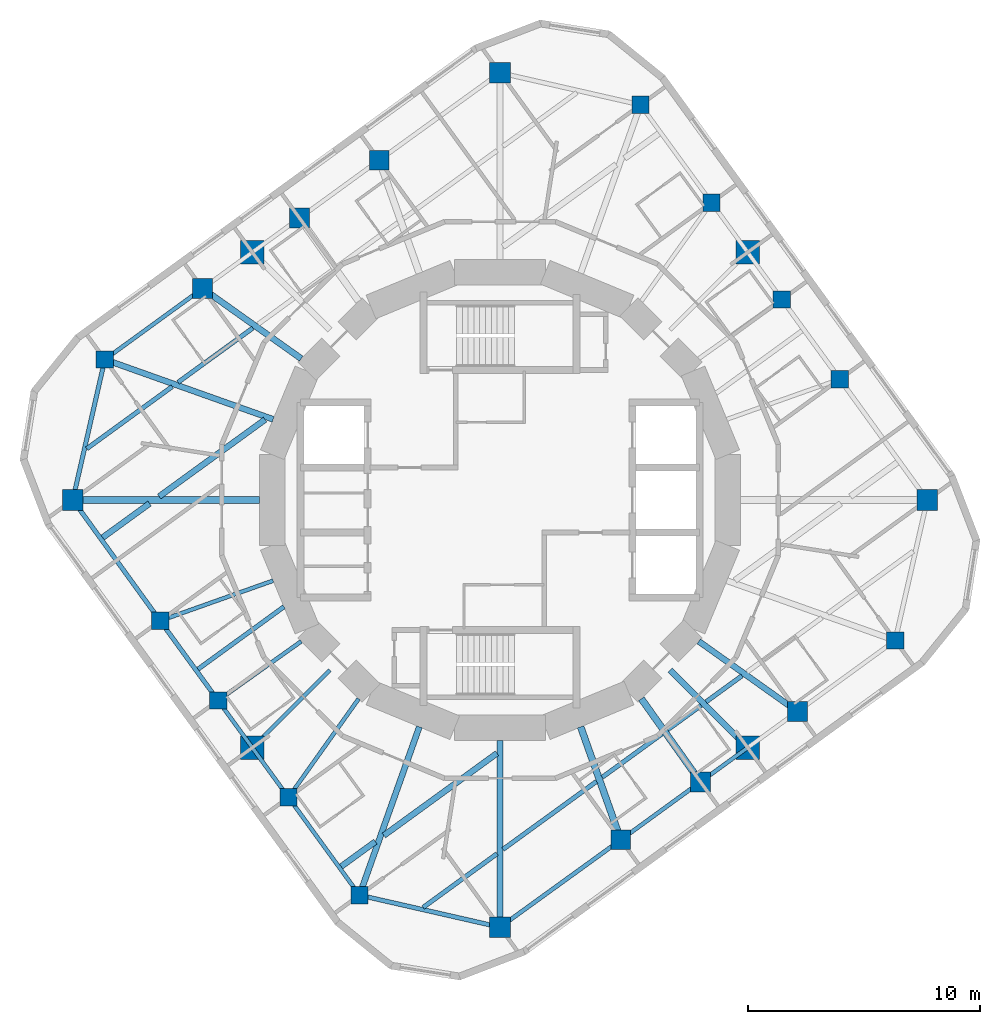
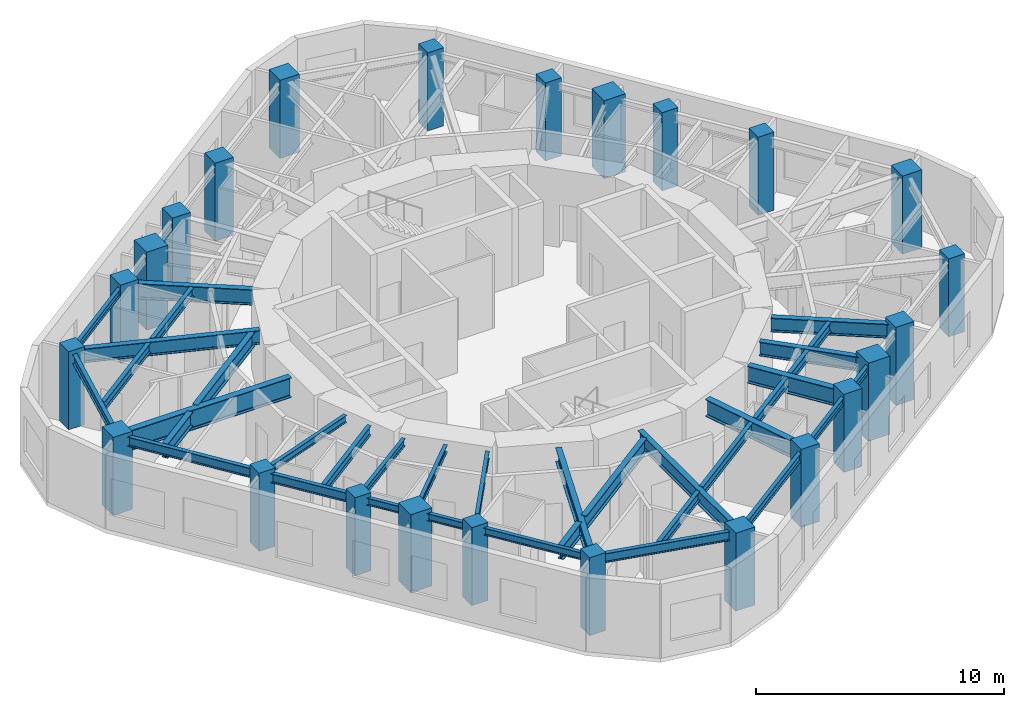
# One storey, part 1 of 9: 36 beams, 24 columns.
"""IFC4 building model written with IfcOpenShell, lengths in metres."""

from ifc_helpers import new_model, si_unit, direction, frame, origin, origin_2d, place, context, subcontext, project, spatial, rectangle, i_section, extrude, material, material_profile, profile_set, type_object, element, save


model = new_model("IFC4")

# Units and contexts
model_context = context("Model", 3, precision=1e-05, world=origin(), true_north=direction((0.0, 1.0)))
body_context = subcontext(model_context, "Body", "Model", "MODEL_VIEW")
ifc_project = project(units=[si_unit("LENGTHUNIT", "METRE"), si_unit("AREAUNIT", "SQUARE_METRE"), si_unit("VOLUMEUNIT", "CUBIC_METRE"), si_unit("PLANEANGLEUNIT", "RADIAN"), si_unit("MASSUNIT", "GRAM", prefix="KILO")], contexts=[model_context])

# Site, building, storey
site_placement = place(None, origin())
site = spatial("IfcSite", under=ifc_project, at=site_placement, CompositionType="ELEMENT")
building_placement = place(site_placement, origin())
building = spatial("IfcBuilding", under=site, at=building_placement, Name="Nakasero Lantern House", CompositionType="ELEMENT")
storey_placement = place(building_placement, frame((0.0, 0.0, 283.0)))
storey = spatial("IfcBuildingStorey", under=building, at=storey_placement, Name="L69", CompositionType="ELEMENT", Elevation=283.0)

# Columns
ifc_material_1 = material(Name="Concrete C40/50", Category="concrete")
ifc_material_profile_1 = material_profile(ifc_material_1, rectangle(XDim=1.0, YDim=1.0, at=origin_2d()), Name="RC 1000x1000")
ifc_profile_set_1 = profile_set([ifc_material_profile_1], Name="Concrete C40/50")
column_type_1 = type_object("IfcColumnType", Name="Mega column RC 1000x1000 C40/50", PredefinedType="COLUMN", material=ifc_profile_set_1)
for number, where, z_axis, x_axis, name in (
    (1, (10.667236328125, 10.667236328125, 0.0), (0.0, 0.0, 1.0), (1.0, 0.0, 0.0), "Column B7-C06 L69"),
    (2, (-10.667236328125, 10.667236328125, 0.0), (0.0, 0.0, 1.0), (1.0, 0.0, 0.0), "Column B7-C12 L69"),
    (3, (-10.667236328125, -10.667236328125, 0.0), (0.0, 0.0, 1.0), (1.0, 0.0, 0.0), "Column B7-C18 L69"),
    (4, (10.667236328125, -10.667236328125, 0.0), (0.0, 0.0, 1.0), (1.0, 0.0, 0.0), "Column B7-C24 L69"),
):
    element("IfcColumn", number, at=place(storey_placement, frame(where, z_axis=z_axis, x_axis=x_axis)), inside=storey, type_object=column_type_1, Name=name, PredefinedType="COLUMN", context=body_context, shape_type="SweptSolid", body=[
        extrude(rectangle(XDim=1.0, YDim=1.0, at=origin_2d()), origin(), (0.0, 0.0, 1.0), 3.85009765625),
    ])
ifc_material_2 = material(Name="Concrete C40/50", Category="concrete")
ifc_material_profile_2 = material_profile(ifc_material_2, rectangle(XDim=0.75, YDim=0.75, at=origin_2d()), Name="RC 750x750")
ifc_profile_set_2 = profile_set([ifc_material_profile_2], Name="Concrete C40/50")
column_type_2 = type_object("IfcColumnType", Name="Ring column RC 750x750 C40/50", PredefinedType="COLUMN", material=ifc_profile_set_2)
for number, where, z_axis, x_axis, name in (
    (5, (17.02001953125, -6.051513671875, 0.0), (0.0, 0.0, 1.0), (1.0, 0.0, 0.0), "Column B7-C02 L69"),
    (6, (14.636474609375, 5.2041015625, 0.0), (0.0, 0.0, 1.0), (1.0, 0.0, 0.0), "Column B7-C04 L69"),
    (7, (12.1435546875, 8.63525390625, 0.0), (0.0, 0.0, 1.0), (1.0, 0.0, 0.0), "Column B7-C05 L69"),
    (8, (9.10986328125, 12.810791015625, 0.0), (0.0, 0.0, 1.0), (1.0, 0.0, 0.0), "Column B7-C07 L69"),
    (9, (6.051513671875, 17.02001953125, 0.0), (0.0, 0.0, 1.0), (1.0, 0.0, 0.0), "Column B7-C08 L69"),
    (10, (-17.02001953125, 6.051513671875, 0.0), (0.0, 0.0, 1.0), (1.0, 0.0, 0.0), "Column B7-C14 L69"),
    (11, (-14.636474609375, -5.2041015625, 0.0), (0.0, 0.0, 1.0), (1.0, 0.0, 0.0), "Column B7-C16 L69"),
    (12, (-12.1435546875, -8.63525390625, 0.0), (0.0, 0.0, 1.0), (1.0, 0.0, 0.0), "Column B7-C17 L69"),
    (13, (-9.10986328125, -12.810791015625, 0.0), (0.0, 0.0, 1.0), (1.0, 0.0, 0.0), "Column B7-C19 L69"),
    (14, (-6.051513671875, -17.02001953125, 0.0), (0.0, 0.0, 1.0), (1.0, 0.0, 0.0), "Column B7-C20 L69"),
):
    element("IfcColumn", number, at=place(storey_placement, frame(where, z_axis=z_axis, x_axis=x_axis)), inside=storey, type_object=column_type_2, Name=name, PredefinedType="COLUMN", context=body_context, shape_type="SweptSolid", body=[
        extrude(rectangle(XDim=0.75, YDim=0.75, at=origin_2d()), origin(), (0.0, 0.0, 1.0), 3.85009765625),
    ])
ifc_material_3 = material(Name="Concrete C40/50", Category="concrete")
ifc_material_profile_3 = material_profile(ifc_material_3, rectangle(XDim=0.85009765625, YDim=0.85009765625, at=origin_2d()), Name="RC 850x850")
ifc_profile_set_3 = profile_set([ifc_material_profile_3], Name="Concrete C40/50")
column_type_3 = type_object("IfcColumnType", Name="Ring column RC 850x850 C40/50", PredefinedType="COLUMN", material=ifc_profile_set_3)
for number, where, z_axis, x_axis, name in (
    (15, (12.810791015625, -9.10986328125, 0.0), (0.0, 0.0, 1.0), (1.0, 0.0, 0.0), "Column B7-C01 L69"),
    (16, (-5.2041015625, 14.636474609375, 0.0), (0.0, 0.0, 1.0), (1.0, 0.0, 0.0), "Column B7-C10 L69"),
    (17, (-8.63525390625, 12.1435546875, 0.0), (0.0, 0.0, 1.0), (1.0, 0.0, 0.0), "Column B7-C11 L69"),
    (18, (-12.810791015625, 9.10986328125, 0.0), (0.0, 0.0, 1.0), (1.0, 0.0, 0.0), "Column B7-C13 L69"),
    (19, (5.2041015625, -14.636474609375, 0.0), (0.0, 0.0, 1.0), (1.0, 0.0, 0.0), "Column B7-C22 L69"),
    (20, (8.63525390625, -12.1435546875, 0.0), (0.0, 0.0, 1.0), (1.0, 0.0, 0.0), "Column B7-C23 L69"),
):
    element("IfcColumn", number, at=place(storey_placement, frame(where, z_axis=z_axis, x_axis=x_axis)), inside=storey, type_object=column_type_3, Name=name, PredefinedType="COLUMN", context=body_context, shape_type="SweptSolid", body=[
        extrude(rectangle(XDim=0.85009765625, YDim=0.85009765625, at=origin_2d()), origin(), (0.0, 0.0, 1.0), 3.85009765625),
    ])
ifc_material_4 = material(Name="Concrete C40/50", Category="concrete")
ifc_material_profile_4 = material_profile(ifc_material_4, rectangle(XDim=0.89990234375, YDim=0.89990234375, at=origin_2d()), Name="RC 900x900")
ifc_profile_set_4 = profile_set([ifc_material_profile_4], Name="Concrete C40/50")
column_type_4 = type_object("IfcColumnType", Name="Ring column RC 900x900 C40/50", PredefinedType="COLUMN", material=ifc_profile_set_4)
for number, where, z_axis, x_axis, name in (
    (21, (18.39990234375, 0.0, 0.0), (0.0, 0.0, 1.0), (1.0, 0.0, 0.0), "Column B7-C03 L69"),
    (22, (0.0, 18.39990234375, 0.0), (0.0, 0.0, 1.0), (1.0, 0.0, 0.0), "Column B7-C09 L69"),
    (23, (-18.39990234375, 0.0, 0.0), (0.0, 0.0, 1.0), (1.0, 0.0, 0.0), "Column B7-C15 L69"),
    (24, (0.0, -18.39990234375, 0.0), (0.0, 0.0, 1.0), (1.0, 0.0, 0.0), "Column B7-C21 L69"),
):
    element("IfcColumn", number, at=place(storey_placement, frame(where, z_axis=z_axis, x_axis=x_axis)), inside=storey, type_object=column_type_4, Name=name, PredefinedType="COLUMN", context=body_context, shape_type="SweptSolid", body=[
        extrude(rectangle(XDim=0.89990234375, YDim=0.89990234375, at=origin_2d()), origin(), (0.0, 0.0, 1.0), 3.85009765625),
    ])

# Beams
ifc_material_5 = material(Name="Steel S355", Category="steel")
ifc_material_profile_5 = material_profile(ifc_material_5, i_section(OverallWidth=0.19140625, OverallDepth=0.4599609375, WebThickness=0.010009765625, FlangeThickness=0.01611328125, FilletRadius=0.01025390625, at=origin_2d()), Name="UB 457x191x82")
ifc_profile_set_5 = profile_set([ifc_material_profile_5], Name="Steel S355")
beam_type_1 = type_object("IfcBeamType", Name="Infill beam UB 457x191x82", PredefinedType="JOIST", material=ifc_profile_set_5)
beam_1_placement = place(storey_placement, frame((-3.311279296875, -17.547607421875, 3.419921875), z_axis=(0.809028442836, 0.587769494515, 0.0), x_axis=(-0.587769494515, 0.809028442836, 0.0)))
element("IfcBeam", 25, at=beam_1_placement, inside=storey, type_object=beam_type_1, Name="Infill beam L70 03.1", PredefinedType="JOIST", context=body_context, shape_type="SweptSolid", body=[
    extrude(i_section(OverallWidth=0.19140625, OverallDepth=0.4599609375, WebThickness=0.010009765625, FlangeThickness=0.01611328125, FilletRadius=0.01025390625, at=origin_2d()), origin(), (0.0, 0.0, 1.0), 3.934814453125),
])
beam_2_placement = place(storey_placement, frame((0.1279296875, -15.048828125, 3.419921875), z_axis=(0.809018056479, 0.587783790428, 0.0), x_axis=(-0.587783790428, 0.809018056479, 0.0)))
element("IfcBeam", 26, at=beam_2_placement, inside=storey, type_object=beam_type_1, Name="Infill beam L70 03.2", PredefinedType="JOIST", context=body_context, shape_type="SweptSolid", body=[
    extrude(i_section(OverallWidth=0.19140625, OverallDepth=0.4599609375, WebThickness=0.010009765625, FlangeThickness=0.01611328125, FilletRadius=0.01025390625, at=origin_2d()), origin(), (0.0, 0.0, 1.0), 4.97802734375),
])
beam_3_placement = place(storey_placement, frame((4.40185546875, -11.943603515625, 3.419921875), z_axis=(0.809014147131, 0.587789171167, 0.0), x_axis=(-0.587789171167, 0.809014147131, 0.0)))
element("IfcBeam", 27, at=beam_3_placement, inside=storey, type_object=beam_type_1, Name="Infill beam L70 03.3", PredefinedType="JOIST", context=body_context, shape_type="SweptSolid", body=[
    extrude(i_section(OverallWidth=0.19140625, OverallDepth=0.4599609375, WebThickness=0.010009765625, FlangeThickness=0.01611328125, FilletRadius=0.01025390625, at=origin_2d()), origin(), (0.0, 0.0, 1.0), 3.188232421875),
])
beam_4_placement = place(storey_placement, frame((7.2177734375, -9.897705078125, 3.419921875), z_axis=(0.809060510352, 0.587725353025, 0.0), x_axis=(-0.587725353025, 0.809060510352, 0.0)))
element("IfcBeam", 28, at=beam_4_placement, inside=storey, type_object=beam_type_1, Name="Infill beam L70 03.4", PredefinedType="JOIST", context=body_context, shape_type="SweptSolid", body=[
    extrude(i_section(OverallWidth=0.19140625, OverallDepth=0.4599609375, WebThickness=0.010009765625, FlangeThickness=0.01611328125, FilletRadius=0.01025390625, at=origin_2d()), origin(), (0.0, 0.0, 1.0), 1.7890625),
])
beam_5_placement = place(storey_placement, frame((8.874755859375, -8.69384765625, 3.419921875), z_axis=(0.80900078054, 0.587807568074, 0.0), x_axis=(-0.587807568074, 0.80900078054, 0.0)))
element("IfcBeam", 29, at=beam_5_placement, inside=storey, type_object=beam_type_1, Name="Infill beam L70 03.5", PredefinedType="JOIST", context=body_context, shape_type="SweptSolid", body=[
    extrude(i_section(OverallWidth=0.19140625, OverallDepth=0.4599609375, WebThickness=0.010009765625, FlangeThickness=0.01611328125, FilletRadius=0.01025390625, at=origin_2d()), origin(), (0.0, 0.0, 1.0), 1.913818359375),
])
beam_6_placement = place(storey_placement, frame((-13.006103515625, -7.286376953125, 3.419921875), z_axis=(0.809017640959, 0.587784362344, 0.0), x_axis=(-0.587784362344, 0.809017640959, 0.0)))
element("IfcBeam", 30, at=beam_6_placement, inside=storey, type_object=beam_type_1, Name="Infill beam L70 07.1", PredefinedType="JOIST", context=body_context, shape_type="SweptSolid", body=[
    extrude(i_section(OverallWidth=0.19140625, OverallDepth=0.4599609375, WebThickness=0.010009765625, FlangeThickness=0.01611328125, FilletRadius=0.01025390625, at=origin_2d()), origin(), (0.0, 0.0, 1.0), 4.572998046875),
])
beam_7_placement = place(storey_placement, frame((-17.798583984375, 2.21044921875, 3.419921875), z_axis=(0.80901210161, 0.587791986546, 0.0), x_axis=(-0.587791986546, 0.80901210161, 0.0)))
element("IfcBeam", 31, at=beam_7_placement, inside=storey, type_object=beam_type_1, Name="Infill beam L70 10.1", PredefinedType="JOIST", context=body_context, shape_type="SweptSolid", body=[
    extrude(i_section(OverallWidth=0.19140625, OverallDepth=0.4599609375, WebThickness=0.010009765625, FlangeThickness=0.01611328125, FilletRadius=0.01025390625, at=origin_2d()), origin(), (0.0, 0.0, 1.0), 4.55029296875),
])
beam_8_placement = place(storey_placement, frame((-13.86865234375, 5.065673828125, 3.419921875), z_axis=(0.809006350712, 0.587799901759, 0.0), x_axis=(-0.587799901759, 0.809006350712, 0.0)))
element("IfcBeam", 32, at=beam_8_placement, inside=storey, type_object=beam_type_1, Name="Infill beam L70 10.2", PredefinedType="JOIST", context=body_context, shape_type="SweptSolid", body=[
    extrude(i_section(OverallWidth=0.19140625, OverallDepth=0.4599609375, WebThickness=0.010009765625, FlangeThickness=0.01611328125, FilletRadius=0.01025390625, at=origin_2d()), origin(), (0.0, 0.0, 1.0), 3.983154296875),
])
ifc_material_6 = material(Name="Steel S355", Category="steel")
ifc_material_profile_6 = material_profile(ifc_material_6, i_section(OverallWidth=0.255859375, OverallDepth=0.69287109375, WebThickness=0.014404296875, FlangeThickness=0.023681640625, FilletRadius=0.01513671875, at=origin_2d()), Name="UB 686x254x170")
ifc_profile_set_6 = profile_set([ifc_material_profile_6], Name="Steel S355")
beam_type_2 = type_object("IfcBeamType", Name="Infill beam UB 686x254x170", PredefinedType="JOIST", material=ifc_profile_set_6)
beam_9_placement = place(storey_placement, frame((-6.841796875, -15.786376953125, 3.303466796875), z_axis=(0.809025740158, 0.587773214566, 0.0), x_axis=(-0.587773214566, 0.809025740158, 0.0)))
element("IfcBeam", 33, at=beam_9_placement, inside=storey, type_object=beam_type_2, Name="Infill beam L70 04.1", PredefinedType="JOIST", context=body_context, shape_type="SweptSolid", body=[
    extrude(i_section(OverallWidth=0.255859375, OverallDepth=0.69287109375, WebThickness=0.014404296875, FlangeThickness=0.023681640625, FilletRadius=0.01513671875, at=origin_2d()), origin(), (0.0, 0.0, 1.0), 1.82177734375),
])
beam_10_placement = place(storey_placement, frame((-5.001953125, -14.44970703125, 3.303466796875), z_axis=(0.809011117524, 0.587793340998, 0.0), x_axis=(-0.587793340998, 0.809011117524, 0.0)))
element("IfcBeam", 34, at=beam_10_placement, inside=storey, type_object=beam_type_2, Name="Infill beam L70 04.2", PredefinedType="JOIST", context=body_context, shape_type="SweptSolid", body=[
    extrude(i_section(OverallWidth=0.255859375, OverallDepth=0.69287109375, WebThickness=0.014404296875, FlangeThickness=0.023681640625, FilletRadius=0.01513671875, at=origin_2d()), origin(), (0.0, 0.0, 1.0), 6.024658203125),
])
beam_11_placement = place(storey_placement, frame((-17.1123046875, -1.6171875, 3.303466796875), z_axis=(0.809015124384, 0.587787826106, 0.0), x_axis=(-0.587787826106, 0.809015124384, 0.0)))
element("IfcBeam", 35, at=beam_11_placement, inside=storey, type_object=beam_type_2, Name="Infill beam L70 09.1", PredefinedType="JOIST", context=body_context, shape_type="SweptSolid", body=[
    extrude(i_section(OverallWidth=0.255859375, OverallDepth=0.69287109375, WebThickness=0.014404296875, FlangeThickness=0.023681640625, FilletRadius=0.01513671875, at=origin_2d()), origin(), (0.0, 0.0, 1.0), 2.496337890625),
])
beam_12_placement = place(storey_placement, frame((-14.679931640625, 0.14990234375, 3.303466796875), z_axis=(0.809013172462, 0.587790512669, 0.0), x_axis=(-0.587790512669, 0.809013172462, 0.0)))
element("IfcBeam", 36, at=beam_12_placement, inside=storey, type_object=beam_type_2, Name="Infill beam L70 09.2", PredefinedType="JOIST", context=body_context, shape_type="SweptSolid", body=[
    extrude(i_section(OverallWidth=0.255859375, OverallDepth=0.69287109375, WebThickness=0.014404296875, FlangeThickness=0.023681640625, FilletRadius=0.01513671875, at=origin_2d()), origin(), (0.0, 0.0, 1.0), 5.63720703125),
])
ifc_material_7 = material(Name="Steel S355", Category="steel")
ifc_material_profile_7 = material_profile(ifc_material_7, i_section(OverallWidth=0.300048828125, OverallDepth=0.97998046875, WebThickness=0.0166015625, FlangeThickness=0.02587890625, FilletRadius=0.030029296875, at=origin_2d()), Name="UB 1016x305x249")
ifc_profile_set_7 = profile_set([ifc_material_profile_7], Name="Steel S355")
beam_type_3 = type_object("IfcBeamType", Name="Primary beam UB 1016x305x249, span 6 to 9 m", PredefinedType="BEAM", material=ifc_profile_set_7)
beam_13_placement = place(storey_placement, frame((-18.39990234375, 0.0, 3.159912109375), z_axis=(1.0, 0.0, 0.0), x_axis=(0.0, 1.0, 0.0)))
element("IfcBeam", 37, at=beam_13_placement, inside=storey, type_object=beam_type_3, Name="Primary beam L70 B7-C15", PredefinedType="BEAM", context=body_context, shape_type="SweptSolid", body=[
    extrude(i_section(OverallWidth=0.300048828125, OverallDepth=0.97998046875, WebThickness=0.0166015625, FlangeThickness=0.02587890625, FilletRadius=0.030029296875, at=origin_2d()), origin(), (0.0, 0.0, 1.0), 8.0419921875),
])
ifc_material_8 = material(Name="Steel S355", Category="steel")
ifc_material_profile_8 = material_profile(ifc_material_8, i_section(OverallWidth=0.17138671875, OverallDepth=0.35498046875, WebThickness=0.00732421875, FlangeThickness=0.011474609375, FilletRadius=0.01025390625, at=origin_2d()), Name="UB 356x171x51")
ifc_profile_set_8 = profile_set([ifc_material_profile_8], Name="Steel S355")
beam_type_4 = type_object("IfcBeamType", Name="Primary beam UB 356x171x51, span to 6 m", PredefinedType="BEAM", material=ifc_profile_set_8)
beam_14_placement = place(storey_placement, frame((-14.636474609375, -5.2041015625, 3.472412109375), z_axis=(0.942221324153, 0.3349910093, 0.0), x_axis=(-0.3349910093, 0.942221324153, 0.0)))
element("IfcBeam", 38, at=beam_14_placement, inside=storey, type_object=beam_type_4, Name="Primary beam L70 B7-C16", PredefinedType="BEAM", context=body_context, shape_type="SweptSolid", body=[
    extrude(i_section(OverallWidth=0.17138671875, OverallDepth=0.35498046875, WebThickness=0.00732421875, FlangeThickness=0.011474609375, FilletRadius=0.01025390625, at=origin_2d()), origin(), (0.0, 0.0, 1.0), 5.162841796875),
])
beam_15_placement = place(storey_placement, frame((-12.1435546875, -8.63525390625, 3.472412109375), z_axis=(0.814988544116, 0.579477068537, 0.0), x_axis=(-0.579477068537, 0.814988544116, 0.0)))
element("IfcBeam", 39, at=beam_15_placement, inside=storey, type_object=beam_type_4, Name="Primary beam L70 B7-C17", PredefinedType="BEAM", context=body_context, shape_type="SweptSolid", body=[
    extrude(i_section(OverallWidth=0.17138671875, OverallDepth=0.35498046875, WebThickness=0.00732421875, FlangeThickness=0.011474609375, FilletRadius=0.01025390625, at=origin_2d()), origin(), (0.0, 0.0, 1.0), 4.396484375),
])
beam_16_placement = place(storey_placement, frame((-10.667236328125, -10.667236328125, 3.472412109375), z_axis=(0.707106781187, 0.707106781187, 0.0), x_axis=(-0.707106781187, 0.707106781187, 0.0)))
element("IfcBeam", 40, at=beam_16_placement, inside=storey, type_object=beam_type_4, Name="Primary beam L70 B7-C18", PredefinedType="BEAM", context=body_context, shape_type="SweptSolid", body=[
    extrude(i_section(OverallWidth=0.17138671875, OverallDepth=0.35498046875, WebThickness=0.00732421875, FlangeThickness=0.011474609375, FilletRadius=0.01025390625, at=origin_2d()), origin(), (0.0, 0.0, 1.0), 4.727783203125),
])
beam_17_placement = place(storey_placement, frame((-9.10986328125, -12.810791015625, 3.472412109375), z_axis=(0.579500985986, 0.814971537688, 0.0), x_axis=(-0.814971537688, 0.579500985986, 0.0)))
element("IfcBeam", 41, at=beam_17_placement, inside=storey, type_object=beam_type_4, Name="Primary beam L70 B7-C19", PredefinedType="BEAM", context=body_context, shape_type="SweptSolid", body=[
    extrude(i_section(OverallWidth=0.17138671875, OverallDepth=0.35498046875, WebThickness=0.00732421875, FlangeThickness=0.011474609375, FilletRadius=0.01025390625, at=origin_2d()), origin(), (0.0, 0.0, 1.0), 5.215087890625),
])
ifc_material_9 = material(Name="Steel S355", Category="steel")
ifc_material_profile_9 = material_profile(ifc_material_9, i_section(OverallWidth=0.253662109375, OverallDepth=0.68359375, WebThickness=0.012451171875, FlangeThickness=0.01904296875, FilletRadius=0.01513671875, at=origin_2d()), Name="UB 686x254x140")
ifc_profile_set_9 = profile_set([ifc_material_profile_9], Name="Steel S355")
beam_type_5 = type_object("IfcBeamType", Name="Primary beam UB 686x254x140, span 6 to 9 m", PredefinedType="BEAM", material=ifc_profile_set_9)
beam_18_placement = place(storey_placement, frame((-17.02001953125, 6.051513671875, 3.308349609375), z_axis=(0.942222036561, -0.334989005521, 0.0), x_axis=(0.334989005521, 0.942222036561, 0.0)))
element("IfcBeam", 42, at=beam_18_placement, inside=storey, type_object=beam_type_5, Name="Primary beam L70 B7-C14", PredefinedType="BEAM", context=body_context, shape_type="SweptSolid", body=[
    extrude(i_section(OverallWidth=0.253662109375, OverallDepth=0.68359375, WebThickness=0.012451171875, FlangeThickness=0.01904296875, FilletRadius=0.01513671875, at=origin_2d()), origin(), (0.0, 0.0, 1.0), 7.6923828125),
])
ifc_material_10 = material(Name="Steel S355", Category="steel")
ifc_material_profile_10 = material_profile(ifc_material_10, i_section(OverallWidth=0.255859375, OverallDepth=0.69287109375, WebThickness=0.014404296875, FlangeThickness=0.023681640625, FilletRadius=0.01513671875, at=origin_2d()), Name="UB 686x254x170")
ifc_profile_set_10 = profile_set([ifc_material_profile_10], Name="Steel S355")
beam_type_6 = type_object("IfcBeamType", Name="Primary beam UB 686x254x170, span 6 to 9 m", PredefinedType="BEAM", material=ifc_profile_set_10)
beam_19_placement = place(storey_placement, frame((-6.051513671875, -17.02001953125, 3.303466796875), z_axis=(0.334989005521, 0.942222036561, 0.0), x_axis=(-0.942222036561, 0.334989005521, 0.0)))
element("IfcBeam", 43, at=beam_19_placement, inside=storey, type_object=beam_type_6, Name="Primary beam L70 B7-C20", PredefinedType="BEAM", context=body_context, shape_type="SweptSolid", body=[
    extrude(i_section(OverallWidth=0.255859375, OverallDepth=0.69287109375, WebThickness=0.014404296875, FlangeThickness=0.023681640625, FilletRadius=0.01513671875, at=origin_2d()), origin(), (0.0, 0.0, 1.0), 7.6923828125),
])
beam_20_placement = place(storey_placement, frame((0.0, -18.39990234375, 3.303466796875), z_axis=(0.0, 1.0, 0.0), x_axis=(-1.0, 0.0, 0.0)))
element("IfcBeam", 44, at=beam_20_placement, inside=storey, type_object=beam_type_6, Name="Primary beam L70 B7-C21", PredefinedType="BEAM", context=body_context, shape_type="SweptSolid", body=[
    extrude(i_section(OverallWidth=0.255859375, OverallDepth=0.69287109375, WebThickness=0.014404296875, FlangeThickness=0.023681640625, FilletRadius=0.01513671875, at=origin_2d()), origin(), (0.0, 0.0, 1.0), 8.0419921875),
])
ifc_material_11 = material(Name="Steel S355", Category="steel")
ifc_material_profile_11 = material_profile(ifc_material_11, i_section(OverallWidth=0.255859375, OverallDepth=0.69287109375, WebThickness=0.014404296875, FlangeThickness=0.023681640625, FilletRadius=0.01513671875, at=origin_2d()), Name="UB 686x254x170")
ifc_profile_set_11 = profile_set([ifc_material_profile_11], Name="Steel S355")
beam_type_7 = type_object("IfcBeamType", Name="Primary beam UB 686x254x170, span to 6 m", PredefinedType="BEAM", material=ifc_profile_set_11)
beam_21_placement = place(storey_placement, frame((12.810791015625, -9.10986328125, 3.303466796875), z_axis=(-0.814971537688, 0.579500985986, 0.0), x_axis=(-0.579500985986, -0.814971537688, 0.0)))
element("IfcBeam", 45, at=beam_21_placement, inside=storey, type_object=beam_type_7, Name="Primary beam L70 B7-C01", PredefinedType="BEAM", context=body_context, shape_type="SweptSolid", body=[
    extrude(i_section(OverallWidth=0.255859375, OverallDepth=0.69287109375, WebThickness=0.014404296875, FlangeThickness=0.023681640625, FilletRadius=0.01513671875, at=origin_2d()), origin(), (0.0, 0.0, 1.0), 5.215087890625),
])
beam_22_placement = place(storey_placement, frame((10.667236328125, -10.667236328125, 3.303466796875), z_axis=(-0.707106781187, 0.707106781187, 0.0), x_axis=(-0.707106781187, -0.707106781187, 0.0)))
element("IfcBeam", 46, at=beam_22_placement, inside=storey, type_object=beam_type_7, Name="Primary beam L70 B7-C24", PredefinedType="BEAM", context=body_context, shape_type="SweptSolid", body=[
    extrude(i_section(OverallWidth=0.255859375, OverallDepth=0.69287109375, WebThickness=0.014404296875, FlangeThickness=0.023681640625, FilletRadius=0.01513671875, at=origin_2d()), origin(), (0.0, 0.0, 1.0), 4.727783203125),
])
ifc_material_12 = material(Name="Steel S355", Category="steel")
ifc_material_profile_12 = material_profile(ifc_material_12, i_section(OverallWidth=0.2666015625, OverallDepth=0.76220703125, WebThickness=0.014404296875, FlangeThickness=0.021484375, FilletRadius=0.0166015625, at=origin_2d()), Name="UB 762x267x173")
ifc_profile_set_12 = profile_set([ifc_material_profile_12], Name="Steel S355")
beam_type_8 = type_object("IfcBeamType", Name="Primary beam UB 762x267x173, span to 6 m", PredefinedType="BEAM", material=ifc_profile_set_12)
beam_23_placement = place(storey_placement, frame((-12.810791015625, 9.10986328125, 3.268798828125), z_axis=(0.814971537688, -0.579500985986, 0.0), x_axis=(0.579500985986, 0.814971537688, 0.0)))
element("IfcBeam", 47, at=beam_23_placement, inside=storey, type_object=beam_type_8, Name="Primary beam L70 B7-C13", PredefinedType="BEAM", context=body_context, shape_type="SweptSolid", body=[
    extrude(i_section(OverallWidth=0.2666015625, OverallDepth=0.76220703125, WebThickness=0.014404296875, FlangeThickness=0.021484375, FilletRadius=0.0166015625, at=origin_2d()), origin(), (0.0, 0.0, 1.0), 5.215087890625),
])
ifc_material_13 = material(Name="Steel S355", Category="steel")
ifc_material_profile_13 = material_profile(ifc_material_13, i_section(OverallWidth=0.29248046875, OverallDepth=0.8408203125, WebThickness=0.0146484375, FlangeThickness=0.02685546875, FilletRadius=0.017822265625, at=origin_2d()), Name="UB 838x292x194")
ifc_profile_set_13 = profile_set([ifc_material_profile_13], Name="Steel S355")
beam_type_9 = type_object("IfcBeamType", Name="Primary beam UB 838x292x194, span to 6 m", PredefinedType="BEAM", material=ifc_profile_set_13)
beam_24_placement = place(storey_placement, frame((5.2041015625, -14.636474609375, 3.229736328125), z_axis=(-0.3349910093, 0.942221324153, 0.0), x_axis=(-0.942221324153, -0.3349910093, 0.0)))
element("IfcBeam", 48, at=beam_24_placement, inside=storey, type_object=beam_type_9, Name="Primary beam L70 B7-C22", PredefinedType="BEAM", context=body_context, shape_type="SweptSolid", body=[
    extrude(i_section(OverallWidth=0.29248046875, OverallDepth=0.8408203125, WebThickness=0.0146484375, FlangeThickness=0.02685546875, FilletRadius=0.017822265625, at=origin_2d()), origin(), (0.0, 0.0, 1.0), 5.162841796875),
])
beam_25_placement = place(storey_placement, frame((8.63525390625, -12.1435546875, 3.229736328125), z_axis=(-0.579477068537, 0.814988544116, 0.0), x_axis=(-0.814988544116, -0.579477068537, 0.0)))
element("IfcBeam", 49, at=beam_25_placement, inside=storey, type_object=beam_type_9, Name="Primary beam L70 B7-C23", PredefinedType="BEAM", context=body_context, shape_type="SweptSolid", body=[
    extrude(i_section(OverallWidth=0.29248046875, OverallDepth=0.8408203125, WebThickness=0.0146484375, FlangeThickness=0.02685546875, FilletRadius=0.017822265625, at=origin_2d()), origin(), (0.0, 0.0, 1.0), 4.396484375),
])
ifc_material_14 = material(Name="Steel S355", Category="steel")
ifc_material_profile_14 = material_profile(ifc_material_14, i_section(OverallWidth=0.17138671875, OverallDepth=0.35498046875, WebThickness=0.00732421875, FlangeThickness=0.011474609375, FilletRadius=0.01025390625, at=origin_2d()), Name="UB 356x171x51")
ifc_profile_set_14 = profile_set([ifc_material_profile_14], Name="Steel S355")
beam_type_10 = type_object("IfcBeamType", Name="Ring beam UB 356x171x51", PredefinedType="BEAM", material=ifc_profile_set_14)
beam_26_placement = place(storey_placement, frame((-12.810791015625, 9.10986328125, 3.472412109375), z_axis=(-0.809001814948, -0.587806144414, 0.0), x_axis=(0.587806144414, -0.809001814948, 0.0)))
element("IfcBeam", 50, at=beam_26_placement, inside=storey, type_object=beam_type_10, Name="Ring beam L70 B7-C13", PredefinedType="BEAM", context=body_context, shape_type="SweptSolid", body=[
    extrude(i_section(OverallWidth=0.17138671875, OverallDepth=0.35498046875, WebThickness=0.00732421875, FlangeThickness=0.011474609375, FilletRadius=0.01025390625, at=origin_2d()), origin(), (0.0, 0.0, 1.0), 5.202880859375),
])
beam_27_placement = place(storey_placement, frame((-12.1435546875, -8.63525390625, 3.472412109375), z_axis=(0.58778439593, -0.809017616558, 0.0), x_axis=(0.809017616558, 0.58778439593, 0.0)))
element("IfcBeam", 51, at=beam_27_placement, inside=storey, type_object=beam_type_10, Name="Ring beam L70 B7-C17", PredefinedType="BEAM", context=body_context, shape_type="SweptSolid", body=[
    extrude(i_section(OverallWidth=0.17138671875, OverallDepth=0.35498046875, WebThickness=0.00732421875, FlangeThickness=0.011474609375, FilletRadius=0.01025390625, at=origin_2d()), origin(), (0.0, 0.0, 1.0), 2.51171875),
])
beam_28_placement = place(storey_placement, frame((-10.667236328125, -10.667236328125, 3.472412109375), z_axis=(0.587782635143, -0.809018895839, 0.0), x_axis=(0.809018895839, 0.587782635143, 0.0)))
element("IfcBeam", 52, at=beam_28_placement, inside=storey, type_object=beam_type_10, Name="Ring beam L70 B7-C18", PredefinedType="BEAM", context=body_context, shape_type="SweptSolid", body=[
    extrude(i_section(OverallWidth=0.17138671875, OverallDepth=0.35498046875, WebThickness=0.00732421875, FlangeThickness=0.011474609375, FilletRadius=0.01025390625, at=origin_2d()), origin(), (0.0, 0.0, 1.0), 2.649658203125),
])
beam_29_placement = place(storey_placement, frame((-9.10986328125, -12.810791015625, 3.472412109375), z_axis=(0.587806144414, -0.809001814948, 0.0), x_axis=(0.809001814948, 0.587806144414, 0.0)))
element("IfcBeam", 53, at=beam_29_placement, inside=storey, type_object=beam_type_10, Name="Ring beam L70 B7-C19", PredefinedType="BEAM", context=body_context, shape_type="SweptSolid", body=[
    extrude(i_section(OverallWidth=0.17138671875, OverallDepth=0.35498046875, WebThickness=0.00732421875, FlangeThickness=0.011474609375, FilletRadius=0.01025390625, at=origin_2d()), origin(), (0.0, 0.0, 1.0), 5.202880859375),
])
beam_30_placement = place(storey_placement, frame((5.2041015625, -14.636474609375, 3.472412109375), z_axis=(0.809012304944, 0.587791706687, 0.0), x_axis=(-0.587791706687, 0.809012304944, 0.0)))
element("IfcBeam", 54, at=beam_30_placement, inside=storey, type_object=beam_type_10, Name="Ring beam L70 B7-C22", PredefinedType="BEAM", context=body_context, shape_type="SweptSolid", body=[
    extrude(i_section(OverallWidth=0.17138671875, OverallDepth=0.35498046875, WebThickness=0.00732421875, FlangeThickness=0.011474609375, FilletRadius=0.01025390625, at=origin_2d()), origin(), (0.0, 0.0, 1.0), 4.2412109375),
])
beam_31_placement = place(storey_placement, frame((8.63525390625, -12.1435546875, 3.472412109375), z_axis=(0.809017616558, 0.58778439593, 0.0), x_axis=(-0.58778439593, 0.809017616558, 0.0)))
element("IfcBeam", 55, at=beam_31_placement, inside=storey, type_object=beam_type_10, Name="Ring beam L70 B7-C23", PredefinedType="BEAM", context=body_context, shape_type="SweptSolid", body=[
    extrude(i_section(OverallWidth=0.17138671875, OverallDepth=0.35498046875, WebThickness=0.00732421875, FlangeThickness=0.011474609375, FilletRadius=0.01025390625, at=origin_2d()), origin(), (0.0, 0.0, 1.0), 2.51171875),
])
ifc_material_15 = material(Name="Steel S355", Category="steel")
ifc_material_profile_15 = material_profile(ifc_material_15, i_section(OverallWidth=0.177978515625, OverallDepth=0.406494140625, WebThickness=0.0078125, FlangeThickness=0.0126953125, FilletRadius=0.01025390625, at=origin_2d()), Name="UB 406x178x60")
ifc_profile_set_15 = profile_set([ifc_material_profile_15], Name="Steel S355")
beam_type_11 = type_object("IfcBeamType", Name="Ring beam UB 406x178x60", PredefinedType="BEAM", material=ifc_profile_set_15)
beam_32_placement = place(storey_placement, frame((0.0, -18.39990234375, 3.44677734375), z_axis=(0.810316200404, 0.58599287996, 0.0), x_axis=(-0.58599287996, 0.810316200404, 0.0)))
element("IfcBeam", 56, at=beam_32_placement, inside=storey, type_object=beam_type_11, Name="Ring beam L70 B7-C21", PredefinedType="BEAM", context=body_context, shape_type="SweptSolid", body=[
    extrude(i_section(OverallWidth=0.177978515625, OverallDepth=0.406494140625, WebThickness=0.0078125, FlangeThickness=0.0126953125, FilletRadius=0.01025390625, at=origin_2d()), origin(), (0.0, 0.0, 1.0), 6.42236328125),
])
ifc_material_16 = material(Name="Steel S355", Category="steel")
ifc_material_profile_16 = material_profile(ifc_material_16, i_section(OverallWidth=0.18994140625, OverallDepth=0.453369140625, WebThickness=0.008544921875, FlangeThickness=0.0126953125, FilletRadius=0.01025390625, at=origin_2d()), Name="UB 457x191x67")
ifc_profile_set_16 = profile_set([ifc_material_profile_16], Name="Steel S355")
beam_type_12 = type_object("IfcBeamType", Name="Ring beam UB 457x191x67", PredefinedType="BEAM", material=ifc_profile_set_16)
beam_33_placement = place(storey_placement, frame((-17.02001953125, 6.051513671875, 3.42333984375), z_axis=(-0.222316387753, -0.974974575944, 0.0), x_axis=(0.974974575944, -0.222316387753, 0.0)))
element("IfcBeam", 57, at=beam_33_placement, inside=storey, type_object=beam_type_12, Name="Ring beam L70 B7-C14", PredefinedType="BEAM", context=body_context, shape_type="SweptSolid", body=[
    extrude(i_section(OverallWidth=0.18994140625, OverallDepth=0.453369140625, WebThickness=0.008544921875, FlangeThickness=0.0126953125, FilletRadius=0.01025390625, at=origin_2d()), origin(), (0.0, 0.0, 1.0), 6.206787109375),
])
beam_34_placement = place(storey_placement, frame((-14.636474609375, -5.2041015625, 3.42333984375), z_axis=(0.587791706687, -0.809012304944, 0.0), x_axis=(0.809012304944, 0.587791706687, 0.0)))
element("IfcBeam", 58, at=beam_34_placement, inside=storey, type_object=beam_type_12, Name="Ring beam L70 B7-C16", PredefinedType="BEAM", context=body_context, shape_type="SweptSolid", body=[
    extrude(i_section(OverallWidth=0.18994140625, OverallDepth=0.453369140625, WebThickness=0.008544921875, FlangeThickness=0.0126953125, FilletRadius=0.01025390625, at=origin_2d()), origin(), (0.0, 0.0, 1.0), 4.2412109375),
])
beam_35_placement = place(storey_placement, frame((-6.051513671875, -17.02001953125, 3.42333984375), z_axis=(0.974974575944, -0.222316387753, 0.0), x_axis=(0.222316387753, 0.974974575944, 0.0)))
element("IfcBeam", 59, at=beam_35_placement, inside=storey, type_object=beam_type_12, Name="Ring beam L70 B7-C20", PredefinedType="BEAM", context=body_context, shape_type="SweptSolid", body=[
    extrude(i_section(OverallWidth=0.18994140625, OverallDepth=0.453369140625, WebThickness=0.008544921875, FlangeThickness=0.0126953125, FilletRadius=0.01025390625, at=origin_2d()), origin(), (0.0, 0.0, 1.0), 6.206787109375),
])
ifc_material_17 = material(Name="Steel S355", Category="steel")
ifc_material_profile_17 = material_profile(ifc_material_17, i_section(OverallWidth=0.19140625, OverallDepth=0.4599609375, WebThickness=0.010009765625, FlangeThickness=0.01611328125, FilletRadius=0.01025390625, at=origin_2d()), Name="UB 457x191x82")
ifc_profile_set_17 = profile_set([ifc_material_profile_17], Name="Steel S355")
beam_type_13 = type_object("IfcBeamType", Name="Ring beam UB 457x191x82", PredefinedType="BEAM", material=ifc_profile_set_17)
beam_36_placement = place(storey_placement, frame((-18.39990234375, 0.0, 3.419921875), z_axis=(0.58599287996, -0.810316200404, 0.0), x_axis=(0.810316200404, 0.58599287996, 0.0)))
element("IfcBeam", 60, at=beam_36_placement, inside=storey, type_object=beam_type_13, Name="Ring beam L70 B7-C15", PredefinedType="BEAM", context=body_context, shape_type="SweptSolid", body=[
    extrude(i_section(OverallWidth=0.19140625, OverallDepth=0.4599609375, WebThickness=0.010009765625, FlangeThickness=0.01611328125, FilletRadius=0.01025390625, at=origin_2d()), origin(), (0.0, 0.0, 1.0), 6.42236328125),
])

save(model, "model.ifc")
